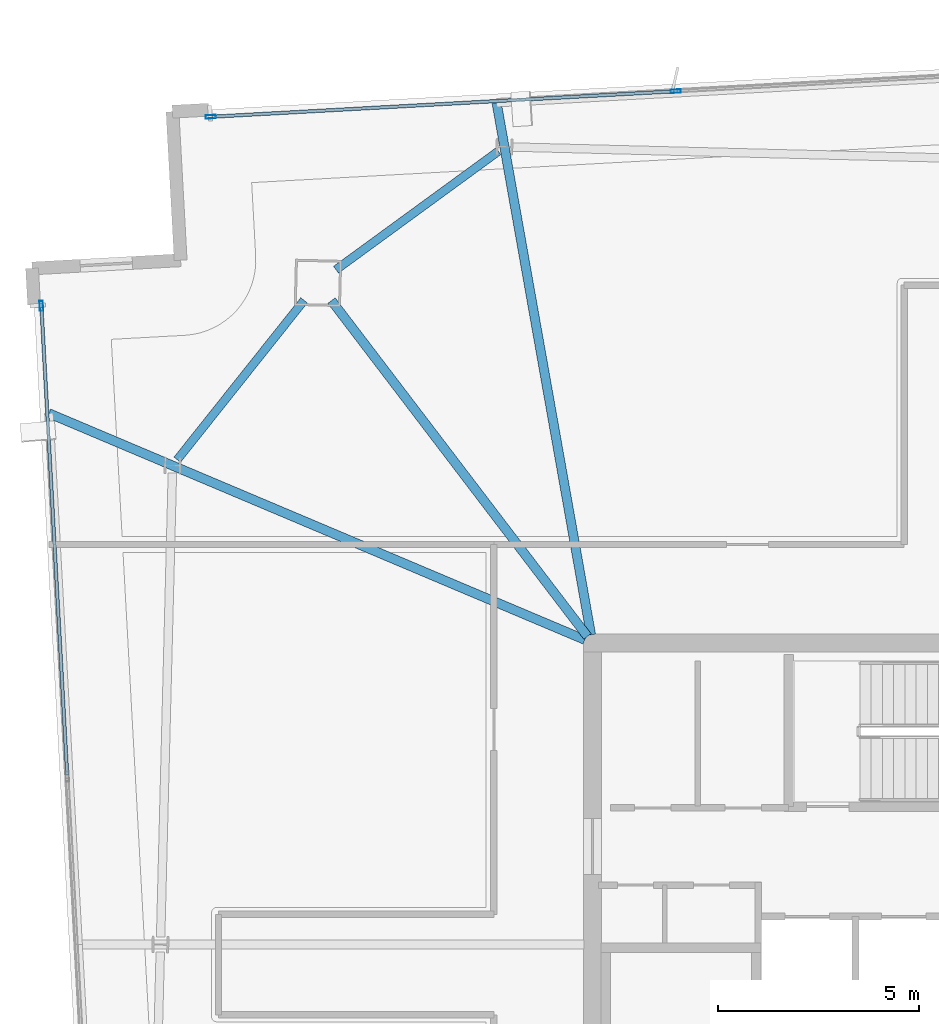
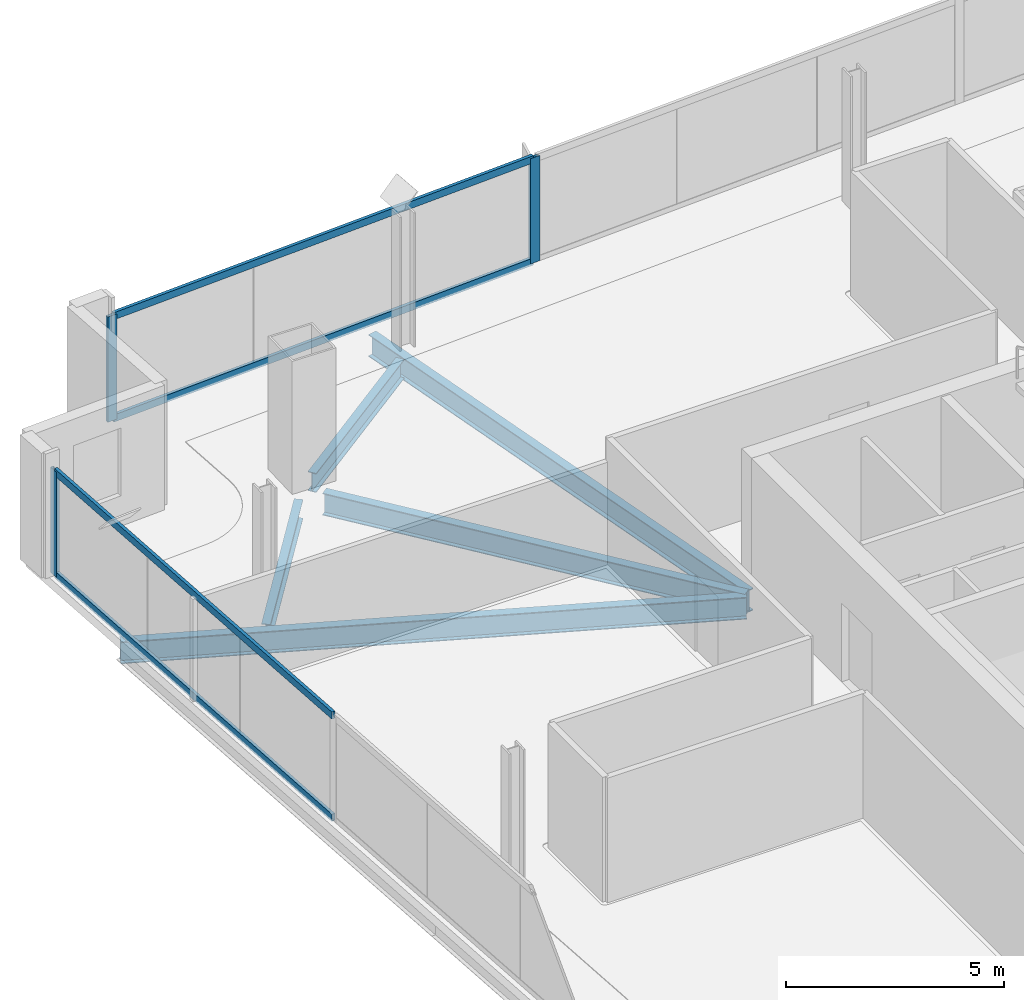
# One storey, part 11 of 23: 7 members, 5 beams, 2 elements without a shape of their own.
"""IFC4 building model written with IfcOpenShell, lengths in metres."""

from ifc_helpers import new_model, si_unit, direction, frame, origin, origin_2d, place, context, subcontext, project, spatial, hollow_rectangle, i_section, extrude, material, material_profile, profile_set, type_object, element, aggregate, save


model = new_model("IFC4")

# Units and contexts
model_context = context("Model", 3, precision=1e-05, world=origin(), true_north=direction((0.0, 1.0)))
body_context = subcontext(model_context, "Body", "Model", "MODEL_VIEW")
ifc_project = project(units=[si_unit("LENGTHUNIT", "METRE"), si_unit("AREAUNIT", "SQUARE_METRE"), si_unit("VOLUMEUNIT", "CUBIC_METRE"), si_unit("PLANEANGLEUNIT", "RADIAN"), si_unit("MASSUNIT", "GRAM", prefix="KILO")], contexts=[model_context])

# Site, building, storey
site_placement = place(None, origin())
site = spatial("IfcSite", under=ifc_project, at=site_placement, CompositionType="ELEMENT")
building_placement = place(site_placement, origin())
building = spatial("IfcBuilding", under=site, at=building_placement, Name="Haldenkirk Collegiate Tower", CompositionType="ELEMENT")
storey_placement = place(building_placement, frame((0.0, 0.0, 340.199951171875)))
storey = spatial("IfcBuildingStorey", under=building, at=storey_placement, Name="L86", CompositionType="ELEMENT", Elevation=340.199951171875)

# Beams
ifc_material_1 = material(Name="Steel ASTM A992 Grade 50", Category="steel")
ifc_material_profile_1 = material_profile(ifc_material_1, i_section(OverallWidth=0.22998046875, OverallDepth=0.616943359375, WebThickness=0.01318359375, FlangeThickness=0.022216796875, at=origin_2d()), Name="W24X94")
ifc_profile_set_1 = profile_set([ifc_material_profile_1], Name="Steel ASTM A992 Grade 50")
beam_type_1 = type_object("IfcBeamType", Name="BM-GIRDER-W24X94", PredefinedType="BEAM", material=ifc_profile_set_1)
beam_1_placement = place(storey_placement, frame((20.510498046875, 42.514404296875, -0.568359375), z_axis=(0.606183308444, -0.79532496287, 0.0), x_axis=(0.79532496287, 0.606183308444, 0.0)))
element("IfcBeam", 1, at=beam_1_placement, inside=storey, type_object=beam_type_1, Name="L86 primary floor girder 03", PredefinedType="BEAM", context=body_context, shape_type="SweptSolid", body=[
    extrude(i_section(OverallWidth=0.22998046875, OverallDepth=0.616943359375, WebThickness=0.01318359375, FlangeThickness=0.022216796875, at=origin_2d()), origin(), (0.0, 0.0, 1.0), 10.50048828125),
])
beam_2_placement = place(storey_placement, frame((24.616455078125, 47.436767578125, -0.568359375), z_axis=(0.174657710709, -0.984629211475, 0.0), x_axis=(0.984629211475, 0.174657710709, 0.0)))
element("IfcBeam", 2, at=beam_2_placement, inside=storey, type_object=beam_type_1, Name="L86 primary floor girder 10", PredefinedType="BEAM", context=body_context, shape_type="SweptSolid", body=[
    extrude(i_section(OverallWidth=0.22998046875, OverallDepth=0.616943359375, WebThickness=0.01318359375, FlangeThickness=0.022216796875, at=origin_2d()), origin(), (0.0, 0.0, 1.0), 13.44140625),
])
beam_3_placement = place(storey_placement, frame((13.482421875, 39.711181640625, -0.568359375), z_axis=(0.921160188642, -0.389183641564, 0.0), x_axis=(0.389183641564, 0.921160188642, 0.0)))
element("IfcBeam", 3, at=beam_3_placement, inside=storey, type_object=beam_type_1, Name="L86 primary floor girder 11", PredefinedType="BEAM", context=body_context, shape_type="SweptSolid", body=[
    extrude(i_section(OverallWidth=0.22998046875, OverallDepth=0.616943359375, WebThickness=0.01318359375, FlangeThickness=0.022216796875, at=origin_2d()), origin(), (0.0, 0.0, 1.0), 14.4697265625),
])
ifc_material_profile_2 = material_profile(ifc_material_1, i_section(OverallWidth=0.2099609375, OverallDepth=0.537109375, WebThickness=0.010986328125, FlangeThickness=0.017333984375, at=origin_2d()), Name="W21X68")
ifc_profile_set_2 = profile_set([ifc_material_profile_2], Name="Steel ASTM A992 Grade 50")
beam_type_2 = type_object("IfcBeamType", Name="BM-SPANDREL-W21X68", PredefinedType="SPANDREL", material=ifc_profile_set_2)
beam_4_placement = place(storey_placement, frame((24.6591796875, 46.228759765625, -0.528564453125), z_axis=(-0.807792834001, -0.589466485338, 0.0), x_axis=(0.589466485338, -0.807792834001, 0.0)))
element("IfcBeam", 4, at=beam_4_placement, inside=storey, type_object=beam_type_2, Name="L86 perimeter spandrel beam 08", PredefinedType="SPANDREL", context=body_context, shape_type="SweptSolid", body=[
    extrude(i_section(OverallWidth=0.2099609375, OverallDepth=0.537109375, WebThickness=0.010986328125, FlangeThickness=0.017333984375, at=origin_2d()), origin(), (0.0, 0.0, 1.0), 4.997314453125),
])
beam_5_placement = place(storey_placement, frame((19.828369140625, 42.521484375, -0.528564453125), z_axis=(-0.622694005585, -0.782465446783, 0.0), x_axis=(0.782465446783, -0.622694005585, 0.0)))
element("IfcBeam", 5, at=beam_5_placement, inside=storey, type_object=beam_type_2, Name="L86 perimeter spandrel beam 09", PredefinedType="SPANDREL", context=body_context, shape_type="SweptSolid", body=[
    extrude(i_section(OverallWidth=0.2099609375, OverallDepth=0.537109375, WebThickness=0.010986328125, FlangeThickness=0.017333984375, at=origin_2d()), origin(), (0.0, 0.0, 1.0), 5.06396484375),
])

# Curtain wall, members
ifc_material_2 = material(Name="Anodised architectural bronze aluminium", Category="aluminium")
curtain_wall_type = type_object("IfcCurtainWallType", Name="CW-SYS1B-CONVEX-HI", PredefinedType="USERDEFINED", material=ifc_material_2)
curtain_wall_1_placement = place(storey_placement, origin())
curtain_wall_1 = element("IfcCurtainWall", 6, at=curtain_wall_1_placement, inside=storey, type_object=curtain_wall_type, Name="L86 Upper tower high-wind convex bronze unitised curtain wall", ObjectType="UNITISED CURTAIN WALL", PredefinedType="USERDEFINED")
ifc_material_profile_3 = material_profile(ifc_material_2, hollow_rectangle(XDim=0.0849609375, YDim=0.25, WallThickness=0.0048828125, at=origin_2d()), Name="CW-MUL-1B")
ifc_profile_set_3 = profile_set([ifc_material_profile_3], Name="Anodised architectural bronze aluminium")
member_type_1 = type_object("IfcMemberType", Name="CW-MUL-1B", PredefinedType="MULLION", material=ifc_profile_set_3)
member_1_placement = place(storey_placement, frame((17.505859375, 47.085693359375, 0.0), z_axis=(0.0, 0.0, 1.0), x_axis=(-0.054947531961, 0.998489243173, 0.0)))
member_1 = element("IfcMember", 7, at=member_1_placement, type_object=member_type_1, Name="CW-1B mullion 1", PredefinedType="MULLION", context=body_context, shape_type="SweptSolid", body=[
    extrude(hollow_rectangle(XDim=0.0849609375, YDim=0.25, WallThickness=0.0048828125, at=origin_2d()), origin(), (0.0, 0.0, 1.0), 2.947998046875),
])
member_2_placement = place(storey_placement, frame((29.07080078125, 47.72216796875, 0.0), z_axis=(0.0, 0.0, 1.0), x_axis=(-0.054947531961, 0.998489243173, 0.0)))
member_2 = element("IfcMember", 8, at=member_2_placement, type_object=member_type_1, Name="CW-1B mullion 2", PredefinedType="MULLION", context=body_context, shape_type="SweptSolid", body=[
    extrude(hollow_rectangle(XDim=0.0849609375, YDim=0.25, WallThickness=0.0048828125, at=origin_2d()), origin(), (0.0, 0.0, 1.0), 2.947998046875),
])

# Curtain wall, member
curtain_wall_2_placement = place(storey_placement, origin())
curtain_wall_2 = element("IfcCurtainWall", 9, at=curtain_wall_2_placement, inside=storey, type_object=curtain_wall_type, Name="L86 Upper tower high-wind convex bronze unitised curtain wall", ObjectType="UNITISED CURTAIN WALL", PredefinedType="USERDEFINED")
member_3_placement = place(storey_placement, frame((13.29541015625, 42.384765625, 0.0), z_axis=(0.0, 0.0, 1.0), x_axis=(-0.998489164704, -0.054948957849, 0.0)))
member_3 = element("IfcMember", 10, at=member_3_placement, type_object=member_type_1, Name="CW-1B mullion 4", PredefinedType="MULLION", context=body_context, shape_type="SweptSolid", body=[
    extrude(hollow_rectangle(XDim=0.0849609375, YDim=0.25, WallThickness=0.0048828125, at=origin_2d()), origin(), (0.0, 0.0, 1.0), 2.947998046875),
])

# Member
ifc_material_profile_4 = material_profile(ifc_material_2, hollow_rectangle(XDim=0.0849609375, YDim=0.199951171875, WallThickness=0.0048828125, at=origin_2d()), Name="CW-TRN-1B")
ifc_profile_set_4 = profile_set([ifc_material_profile_4], Name="Anodised architectural bronze aluminium")
member_type_2 = type_object("IfcMemberType", Name="CW-TRN-1B", PredefinedType="USERDEFINED", material=ifc_profile_set_4)
member_4_placement = place(storey_placement, frame((17.54833984375, 47.087890625, 0.04248046875), z_axis=(0.998488837906, 0.054954895847, 0.0), x_axis=(-0.054954895847, 0.998488837906, 0.0)))
member_4 = element("IfcMember", 11, at=member_4_placement, type_object=member_type_2, Name="CW-1B transom 1.1", ObjectType="TRANSOM", PredefinedType="USERDEFINED", context=body_context, shape_type="SweptSolid", body=[
    extrude(hollow_rectangle(XDim=0.0849609375, YDim=0.199951171875, WallThickness=0.0048828125, at=origin_2d()), origin(), (0.0, 0.0, 1.0), 11.497314453125),
])

member_5_placement = place(storey_placement, frame((17.54833984375, 47.087890625, 2.905517578125), z_axis=(0.998488837906, 0.054954895847, 0.0), x_axis=(-0.054954895847, 0.998488837906, 0.0)))
member_5 = element("IfcMember", 12, at=member_5_placement, type_object=member_type_2, Name="CW-1B transom 1.2", ObjectType="TRANSOM", PredefinedType="USERDEFINED", context=body_context, shape_type="SweptSolid", body=[
    extrude(hollow_rectangle(XDim=0.0849609375, YDim=0.199951171875, WallThickness=0.0048828125, at=origin_2d()), origin(), (0.0, 0.0, 1.0), 11.497314453125),
])

aggregate(curtain_wall_1, [member_1, member_2, member_4, member_5])

member_6_placement = place(storey_placement, frame((13.937255859375, 30.720703125, 0.04248046875), z_axis=(-0.054956525363, 0.998488748219, 0.0), x_axis=(-0.998488748219, -0.054956525363, 0.0)))
member_6 = element("IfcMember", 13, at=member_6_placement, type_object=member_type_2, Name="CW-1B transom 3.1", ObjectType="TRANSOM", PredefinedType="USERDEFINED", context=body_context, shape_type="SweptSolid", body=[
    extrude(hollow_rectangle(XDim=0.0849609375, YDim=0.199951171875, WallThickness=0.0048828125, at=origin_2d()), origin(), (0.0, 0.0, 1.0), 11.63916015625),
])

member_7_placement = place(storey_placement, frame((13.937255859375, 30.720703125, 2.905517578125), z_axis=(-0.054956525363, 0.998488748219, 0.0), x_axis=(-0.998488748219, -0.054956525363, 0.0)))
member_7 = element("IfcMember", 14, at=member_7_placement, type_object=member_type_2, Name="CW-1B transom 3.2", ObjectType="TRANSOM", PredefinedType="USERDEFINED", context=body_context, shape_type="SweptSolid", body=[
    extrude(hollow_rectangle(XDim=0.0849609375, YDim=0.199951171875, WallThickness=0.0048828125, at=origin_2d()), origin(), (0.0, 0.0, 1.0), 11.63916015625),
])

aggregate(curtain_wall_2, [member_3, member_6, member_7])

save(model, "model.ifc")
